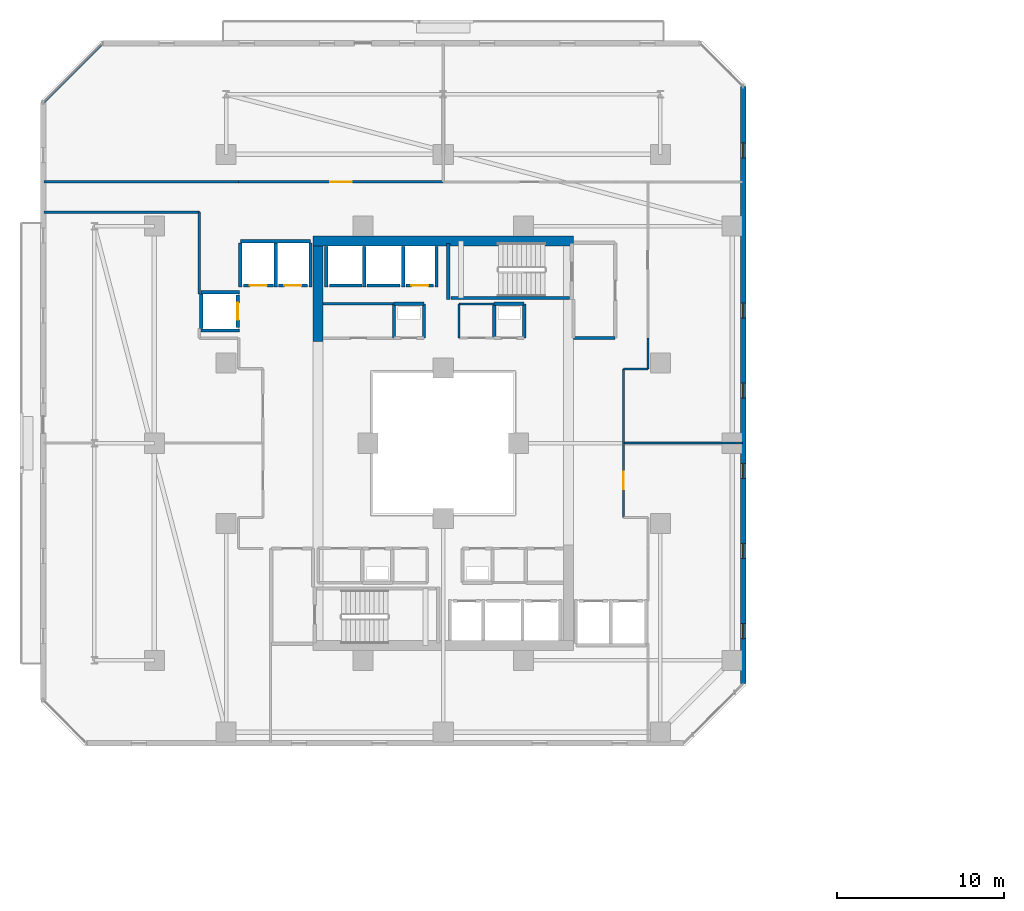
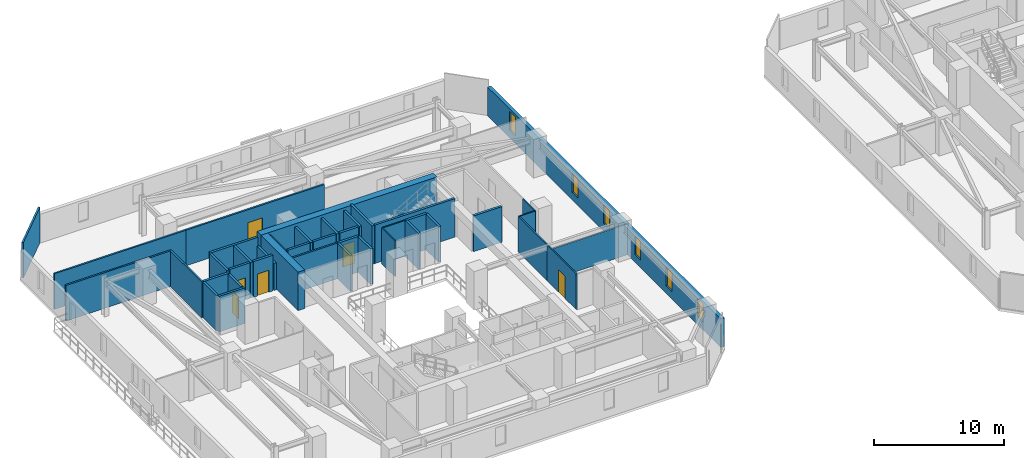
# One storey, part 21 of 33: 42 walls, 6 doors, 6 windows, 12 openings.
"""IFC4 building model written with IfcOpenShell, lengths in metres."""

import ifcopenshell
import ifcopenshell.guid

model = None  # the IFC model being written
_history = None  # IfcOwnerHistory: only IFC2X3 demands one
_inside = {}  # id of a spatial element -> (the spatial element, [elements in it])
_under = {}  # id of a project, library or spatial element -> (it, [spatial elements below it])
_declared = {}  # id of a project -> (the project, [libraries it declares])
_typed = {}  # id of a type object -> (the type object, [elements of that type])
_made_of = {}  # id of a material, layer set ... -> (it, [elements and type objects made of it])


def new_model(schema):
    """Start an empty IFC model of exactly this schema.

    Asked for "IFC4X3", IfcOpenShell would pick the latest addendum, in which some entities
    have other attributes; the version numbers below select the first issue.
    IFC2X3 requires an IfcOwnerHistory on every rooted entity: one is made here for all.
    """
    global model, _history
    if schema == "IFC4X3":
        model = ifcopenshell.file(schema_version=(4, 3, 0, 0))
    else:
        model = ifcopenshell.file(schema=schema)
    _inside.clear()
    _under.clear()
    _declared.clear()
    _typed.clear()
    _made_of.clear()
    _history = None
    if model.schema == "IFC2X3":
        org = make("IfcOrganization", Name="unknown")
        user = make(
            "IfcPersonAndOrganization",
            ThePerson=make("IfcPerson", FamilyName="unknown"),
            TheOrganization=org,
        )
        app = make(
            "IfcApplication",
            ApplicationDeveloper=org,
            Version="unknown",
            ApplicationFullName="unknown",
            ApplicationIdentifier="unknown",
        )
        _history = make(
            "IfcOwnerHistory",
            OwningUser=user,
            OwningApplication=app,
            ChangeAction="ADDED",
            CreationDate=0,
        )
    return model


def make(cls, **values):
    """One entity of the class cls with the attributes given. An attribute that is None is left unset."""
    return model.create_entity(
        cls, **{name: value for name, value in values.items() if value is not None}
    )


def rooted(cls, **values):
    """An entity with a GlobalId (a new one), such as an element, a storey or a relation."""
    return make(cls, GlobalId=ifcopenshell.guid.new(), OwnerHistory=_history, **values)


def si_unit(unit_type, name, prefix=None):
    """IfcSIUnit, for example si_unit("LENGTHUNIT", "METRE", prefix="MILLI")."""
    return make("IfcSIUnit", UnitType=unit_type, Prefix=prefix, Name=name)


def assignment(units):
    """IfcUnitAssignment: the units of a project."""
    return None if units is None else make("IfcUnitAssignment", Units=units)


def point(xyz):
    """IfcCartesianPoint."""
    return None if xyz is None else make("IfcCartesianPoint", Coordinates=xyz)


def direction(xyz):
    """IfcDirection."""
    return None if xyz is None else make("IfcDirection", DirectionRatios=xyz)


def frame(location, z_axis=None, x_axis=None):
    """IfcAxis2Placement3D, a coordinate frame: its origin and axes. An axis left out is left unset."""
    return make(
        "IfcAxis2Placement3D",
        Location=point(location),
        Axis=direction(z_axis),
        RefDirection=direction(x_axis),
    )


def frame_2d(location, x_axis=None):
    """IfcAxis2Placement2D, a coordinate frame in the plane: its origin and x axis."""
    return make(
        "IfcAxis2Placement2D", Location=point(location), RefDirection=direction(x_axis)
    )


def origin():
    """The frame at (0, 0, 0) with its axes left unset."""
    return frame((0.0, 0.0, 0.0))


def place(relative_to, where):
    """IfcLocalPlacement: puts the frame where relative to a parent placement (None: the world)."""
    return make(
        "IfcLocalPlacement", PlacementRelTo=relative_to, RelativePlacement=where
    )


def context(
    kind, dimensions, precision=None, world=None, true_north=None, identifier=None
):
    """IfcGeometricRepresentationContext, for example the 3D "Model" context."""
    return make(
        "IfcGeometricRepresentationContext",
        ContextIdentifier=identifier,
        ContextType=kind,
        CoordinateSpaceDimension=dimensions,
        Precision=precision,
        WorldCoordinateSystem=world,
        TrueNorth=true_north,
    )


def subcontext(parent, identifier, kind, view, scale=None):
    """IfcGeometricRepresentationSubContext, for example "Body" below "Model"."""
    return make(
        "IfcGeometricRepresentationSubContext",
        ContextIdentifier=identifier,
        ContextType=kind,
        ParentContext=parent,
        TargetScale=scale,
        TargetView=view,
    )


def project(units=None, contexts=None):
    """IfcProject with its units and contexts."""
    return rooted(
        "IfcProject",
        Name="project",
        RepresentationContexts=contexts,
        UnitsInContext=assignment(units),
    )


def spatial(cls, under=None, at=None, **own):
    """A site, building, storey or space (cls), placed at a placement, below another one or the project."""
    s = rooted(cls, ObjectPlacement=at, **own)
    if under is not None:
        _under.setdefault(under.id(), (under, []))[1].append(s)
    return s


def profile(cls, at=None, kind="AREA", **sizes):
    """A parametric profile (cls). Its sizes go by their IFC names, for example OverallWidth=200.0."""
    return make(cls, ProfileType=kind, Position=at, **sizes)


def rectangle(**sizes):
    """IfcRectangleProfileDef."""
    return profile("IfcRectangleProfileDef", **sizes)


def extrude(swept, where, along, depth):
    """IfcExtrudedAreaSolid: the profile swept, set in the frame where, extruded along a direction by depth."""
    return make(
        "IfcExtrudedAreaSolid",
        SweptArea=swept,
        Position=where,
        ExtrudedDirection=direction(along),
        Depth=depth,
    )


def shape(context_of_items, identifier, shape_type, items):
    """IfcShapeRepresentation: the items that make up one representation, for example the "Body"."""
    return make(
        "IfcShapeRepresentation",
        ContextOfItems=context_of_items,
        RepresentationIdentifier=identifier,
        RepresentationType=shape_type,
        Items=items,
    )


def material(Name=None, Category=None):
    """IfcMaterial."""
    return make("IfcMaterial", Name=Name, Category=Category)


def layer(
    of_material, thickness, ventilated=None, Name=None, Category=None, Priority=None
):
    """IfcMaterialLayer: one layer of a wall or slab, of a material (None: an air gap)."""
    return make(
        "IfcMaterialLayer",
        Material=of_material,
        LayerThickness=thickness,
        IsVentilated=ventilated,
        Name=Name,
        Category=Category,
        Priority=Priority,
    )


def layer_set(layers, Name=None):
    """IfcMaterialLayerSet."""
    return make("IfcMaterialLayerSet", MaterialLayers=layers, LayerSetName=Name)


def made_of(thing, what):
    """Note that an element or type object is made of a material, layer set ...; save() writes the relation."""
    if what is not None:
        _made_of.setdefault(what.id(), (what, []))[1].append(thing)
    return thing


def type_object(cls, material=None, **own):
    """A type object (cls), such as IfcWallType, which elements share."""
    return made_of(rooted(cls, **own), material)


def element(
    cls,
    number,
    at=None,
    inside=None,
    cuts=None,
    type_object=None,
    material=None,
    context=None,
    identifier="Body",
    shape_type=None,
    held_by="IfcProductDefinitionShape",
    body=None,
    shapes=None,
    **own,
):
    """One element of the class cls, such as IfcWall. Its Tag is "e" and its number.

    at: its placement. inside: the storey or other place that contains it. cuts: it is an
    opening in that element (IfcRelVoidsElement). A single representation is given by context,
    identifier, shape_type and body (its items); several are given by shapes. held_by: the class
    of the entity that holds the representations. save() writes the other relations.
    """
    e = rooted(cls, Tag="e%d" % number, ObjectPlacement=at, **own)
    if body is not None:
        shapes = [shape(context, identifier, shape_type, body)]
    if shapes is not None:
        e.Representation = make(held_by, Representations=shapes)
    if inside is not None:
        _inside.setdefault(inside.id(), (inside, []))[1].append(e)
    if cuts is not None:
        rooted(
            "IfcRelVoidsElement", RelatingBuildingElement=cuts, RelatedOpeningElement=e
        )
    if type_object is not None:
        _typed.setdefault(type_object.id(), (type_object, []))[1].append(e)
    return made_of(e, material)


def fill(opening, filler):
    """IfcRelFillsElement: the door or window that sits in an opening."""
    return rooted(
        "IfcRelFillsElement",
        RelatingOpeningElement=opening,
        RelatedBuildingElement=filler,
    )


def aggregate(whole, parts):
    """IfcRelAggregates: a whole, such as a stair, and the parts it consists of."""
    return rooted("IfcRelAggregates", RelatingObject=whole, RelatedObjects=parts)


def save(model, path):
    """Write the relations noted so far, then the file.

    IfcRelAggregates (storeys below a building ...), IfcRelContainedInSpatialStructure (elements
    in a storey), IfcRelDefinesByType, IfcRelAssociatesMaterial and IfcRelDeclares: one each for
    every whole, place, type object, material and project.
    """
    for whole, parts in _under.values():
        aggregate(whole, parts)
    for where, things in _inside.values():
        rooted(
            "IfcRelContainedInSpatialStructure",
            RelatedElements=things,
            RelatingStructure=where,
        )
    for kind, things in _typed.values():
        rooted("IfcRelDefinesByType", RelatedObjects=things, RelatingType=kind)
    for what, things in _made_of.values():
        rooted("IfcRelAssociatesMaterial", RelatedObjects=things, RelatingMaterial=what)
    for by, libraries in _declared.values():
        rooted("IfcRelDeclares", RelatingContext=by, RelatedDefinitions=libraries)
    model.write(path)


model = new_model("IFC4")

# Units and contexts
model_context = context("Model", 3, precision=1e-05, world=origin(), true_north=direction((0.0, 1.0)))
body_context = subcontext(model_context, "Body", "Model", "MODEL_VIEW")
ifc_project = project(units=[si_unit("LENGTHUNIT", "METRE"), si_unit("AREAUNIT", "SQUARE_METRE"), si_unit("VOLUMEUNIT", "CUBIC_METRE"), si_unit("PLANEANGLEUNIT", "RADIAN"), si_unit("MASSUNIT", "GRAM", prefix="KILO")], contexts=[model_context])

# Site, building, storey
site_placement = place(None, origin())
site = spatial("IfcSite", under=ifc_project, at=site_placement, CompositionType="ELEMENT")
building_placement = place(site_placement, origin())
building = spatial("IfcBuilding", under=site, at=building_placement, Name="Thornwick Lancets Civic Towers", CompositionType="ELEMENT")
storey_placement = place(building_placement, frame((0.0, 0.0, 105.300048828125)))
storey = spatial("IfcBuildingStorey", under=building, at=storey_placement, Name="L27", CompositionType="ELEMENT", Elevation=105.300048828125)

# Wall, opening, door
ifc_material_1 = material(Name="Concrete blockwork C40/50", Category="masonry")
ifc_layer_1 = layer(ifc_material_1, 0.199951171875, Name="Concrete blockwork C40/50")
ifc_layer_set_1 = layer_set([ifc_layer_1], Name="Concrete blockwork C40/50")
wall_type_1 = type_object("IfcWallType", Name="WALL_COMP_200", PredefinedType="STANDARD", material=ifc_layer_set_1)
wall_1_placement = place(storey_placement, frame((24.919921875, 36.449951171875, 0.0), z_axis=(0.0, 0.0, 1.0), x_axis=(-1.0, 0.0, 0.0)))
wall_1 = element("IfcWall", 1, at=wall_1_placement, inside=storey, type_object=wall_type_1, Name="L27 Hoistway Front Wall FL-A2", PredefinedType="STANDARD", context=body_context, shape_type="SweptSolid", body=[
    extrude(rectangle(XDim=1.639892578125, YDim=0.199951171875, at=frame_2d((0.81982421875, 0.0))), origin(), (0.0, 0.0, 1.0), 3.33984375),
])
opening_1_placement = place(wall_1_placement, frame((0.31005859375, 0.0, 0.0)))
opening_1 = element("IfcOpeningElement", 2, at=opening_1_placement, cuts=wall_1, Name="Opening LD-FL-A2", PredefinedType="OPENING", context=body_context, shape_type="SweptSolid", body=[
    extrude(rectangle(XDim=1.02001953125, YDim=2.06005859375, at=frame_2d((0.510009765625, 1.030029296875))), frame((0.0, 0.10986328125, 0.0), z_axis=(0.0, -1.0, 0.0), x_axis=(1.0, 0.0, 0.0)), (0.0, 0.0, 1.0), 0.219970703125),
])
ifc_material_2 = material(Name="Brushed bronze stainless steel", Category="steel")
door_type_1 = type_object("IfcDoorType", Name="DOOR_LIFT_SLIDE", OperationType="SLIDING_TO_LEFT", PredefinedType="DOOR", material=ifc_material_2)
door_1_placement = place(opening_1_placement, origin())
door_1 = element("IfcDoor", 3, at=door_1_placement, inside=storey, type_object=door_type_1, Name="L27 Sliding Lift Landing Door LD-FL-A2", OperationType="SLIDING_TO_LEFT", OverallHeight=2.06005859375, OverallWidth=1.02001953125, PredefinedType="DOOR", context=body_context, shape_type="SweptSolid", body=[
    extrude(rectangle(XDim=1.02001953125, YDim=2.06005859375, at=frame_2d((0.510009765625, 1.030029296875))), frame((0.0, 0.02490234375, 0.0), z_axis=(0.0, -1.0, 0.0), x_axis=(1.0, 0.0, 0.0)), (0.0, 0.0, 1.0), 0.050048828125),
])
fill(opening_1, door_1)

# Walls
wall_2_placement = place(storey_placement, frame((22.919921875, 36.449951171875, 0.0), z_axis=(0.0, 0.0, 1.0), x_axis=(-1.0, 0.0, 0.0)))
element("IfcWall", 4, at=wall_2_placement, inside=storey, type_object=wall_type_1, Name="L27 Hoistway Front Wall PL-AH2", PredefinedType="STANDARD", context=body_context, shape_type="SweptSolid", body=[
    extrude(rectangle(XDim=1.989990234375, YDim=0.199951171875, at=frame_2d((0.9951171875, 0.0))), origin(), (0.0, 0.0, 1.0), 3.33984375),
])
wall_3_placement = place(storey_placement, frame((20.6201171875, 36.449951171875, 0.0), z_axis=(0.0, 0.0, 1.0), x_axis=(-1.0, 0.0, 0.0)))
element("IfcWall", 5, at=wall_3_placement, inside=storey, type_object=wall_type_1, Name="L27 Hoistway Front Wall PL-AH3", PredefinedType="STANDARD", context=body_context, shape_type="SweptSolid", body=[
    extrude(rectangle(XDim=1.940185546875, YDim=0.199951171875, at=frame_2d((0.97021484375, 0.0))), origin(), (0.0, 0.0, 1.0), 3.33984375),
])

# Wall, opening, door
wall_4_placement = place(storey_placement, frame((17.3701171875, 36.449951171875, 0.0), z_axis=(0.0, 0.0, 1.0), x_axis=(-1.0, 0.0, 0.0)))
wall_4 = element("IfcWall", 6, at=wall_4_placement, inside=storey, type_object=wall_type_1, Name="L27 Hoistway Front Wall PL-AM1", PredefinedType="STANDARD", context=body_context, shape_type="SweptSolid", body=[
    extrude(rectangle(XDim=1.740234375, YDim=0.199951171875, at=frame_2d((0.8701171875, 0.0))), origin(), (0.0, 0.0, 1.0), 3.33984375),
])
opening_2_placement = place(wall_4_placement, frame((0.360107421875, 0.0, 0.0)))
opening_2 = element("IfcOpeningElement", 7, at=opening_2_placement, cuts=wall_4, Name="Opening LD-PL-AM1", PredefinedType="OPENING", context=body_context, shape_type="SweptSolid", body=[
    extrude(rectangle(XDim=1.02001953125, YDim=2.06005859375, at=frame_2d((0.510009765625, 1.030029296875))), frame((0.0, 0.10986328125, 0.0), z_axis=(0.0, -1.0, 0.0), x_axis=(1.0, 0.0, 0.0)), (0.0, 0.0, 1.0), 0.219970703125),
])
door_2_placement = place(opening_2_placement, origin())
door_2 = element("IfcDoor", 8, at=door_2_placement, inside=storey, type_object=door_type_1, Name="L27 Sliding Lift Landing Door LD-PL-AM1", OperationType="SLIDING_TO_LEFT", OverallHeight=2.06005859375, OverallWidth=1.02001953125, PredefinedType="DOOR", context=body_context, shape_type="SweptSolid", body=[
    extrude(rectangle(XDim=1.02001953125, YDim=2.06005859375, at=frame_2d((0.510009765625, 1.030029296875))), frame((0.0, 0.02490234375, 0.0), z_axis=(0.0, -1.0, 0.0), x_axis=(1.0, 0.0, 0.0)), (0.0, 0.0, 1.0), 0.050048828125),
])
fill(opening_2, door_2)

wall_5_placement = place(storey_placement, frame((15.320068359375, 36.449951171875, 0.0), z_axis=(0.0, 0.0, 1.0), x_axis=(-1.0, 0.0, 0.0)))
wall_5 = element("IfcWall", 9, at=wall_5_placement, inside=storey, type_object=wall_type_1, Name="L27 Hoistway Front Wall PL-AM2", PredefinedType="STANDARD", context=body_context, shape_type="SweptSolid", body=[
    extrude(rectangle(XDim=1.7900390625, YDim=0.199951171875, at=frame_2d((0.89501953125, 0.0))), origin(), (0.0, 0.0, 1.0), 3.33984375),
])
opening_3_placement = place(wall_5_placement, frame((0.385009765625, 0.0, 0.0)))
opening_3 = element("IfcOpeningElement", 10, at=opening_3_placement, cuts=wall_5, Name="Opening LD-PL-AM2", PredefinedType="OPENING", context=body_context, shape_type="SweptSolid", body=[
    extrude(rectangle(XDim=1.02001953125, YDim=2.06005859375, at=frame_2d((0.510009765625, 1.030029296875))), frame((0.0, 0.10986328125, 0.0), z_axis=(0.0, -1.0, 0.0), x_axis=(1.0, 0.0, 0.0)), (0.0, 0.0, 1.0), 0.219970703125),
])
door_3_placement = place(opening_3_placement, origin())
door_3 = element("IfcDoor", 11, at=door_3_placement, inside=storey, type_object=door_type_1, Name="L27 Sliding Lift Landing Door LD-PL-AM2", OperationType="SLIDING_TO_LEFT", OverallHeight=2.06005859375, OverallWidth=1.02001953125, PredefinedType="DOOR", context=body_context, shape_type="SweptSolid", body=[
    extrude(rectangle(XDim=1.02001953125, YDim=2.06005859375, at=frame_2d((0.510009765625, 1.030029296875))), frame((0.0, 0.02490234375, 0.0), z_axis=(0.0, -1.0, 0.0), x_axis=(1.0, 0.0, 0.0)), (0.0, 0.0, 1.0), 0.050048828125),
])
fill(opening_3, door_3)

wall_6_placement = place(storey_placement, frame((13.199951171875, 33.929931640625, 0.0), z_axis=(0.0, 0.0, 1.0), x_axis=(0.0, 1.0, 0.0)))
wall_6 = element("IfcWall", 12, at=wall_6_placement, inside=storey, type_object=wall_type_1, Name="L27 Hoistway Front Wall PL-AM3", PredefinedType="STANDARD", context=body_context, shape_type="SweptSolid", body=[
    extrude(rectangle(XDim=1.940185546875, YDim=0.199951171875, at=frame_2d((0.97021484375, 0.0))), origin(), (0.0, 0.0, 1.0), 3.33984375),
])
opening_4_placement = place(wall_6_placement, frame((0.4599609375, 0.0, 0.0)))
opening_4 = element("IfcOpeningElement", 13, at=opening_4_placement, cuts=wall_6, Name="Opening LD-PL-AM3", PredefinedType="OPENING", context=body_context, shape_type="SweptSolid", body=[
    extrude(rectangle(XDim=1.02001953125, YDim=2.06005859375, at=frame_2d((0.510009765625, 1.030029296875))), frame((0.0, 0.10986328125, 0.0), z_axis=(0.0, -1.0, 0.0), x_axis=(1.0, 0.0, 0.0)), (0.0, 0.0, 1.0), 0.219970703125),
])
door_4_placement = place(opening_4_placement, origin())
door_4 = element("IfcDoor", 14, at=door_4_placement, inside=storey, type_object=door_type_1, Name="L27 Sliding Lift Landing Door LD-PL-AM3", OperationType="SLIDING_TO_LEFT", OverallHeight=2.06005859375, OverallWidth=1.02001953125, PredefinedType="DOOR", context=body_context, shape_type="SweptSolid", body=[
    extrude(rectangle(XDim=1.02001953125, YDim=2.06005859375, at=frame_2d((0.510009765625, 1.030029296875))), frame((0.0, 0.02490234375, 0.0), z_axis=(0.0, -1.0, 0.0), x_axis=(1.0, 0.0, 0.0)), (0.0, 0.0, 1.0), 0.050048828125),
])
fill(opening_4, door_4)

# Walls
for number, where, z_axis, x_axis, name in (
    (15, (25.10009765625, 36.35205078125, 0.0), (0.0, 0.0, 1.0), (0.0, 1.0, 0.0), "L27 Hoistway Shaft Wall FL-A2 E"),
    (16, (23.10009765625, 36.35205078125, 0.0), (0.0, 0.0, 1.0), (0.0, 1.0, 0.0), "L27 Hoistway Shaft Wall FL-A2 W"),
    (17, (20.77490234375, 36.35205078125, 0.0), (0.0, 0.0, 1.0), (0.0, 1.0, 0.0), "L27 Hoistway Shaft Wall PL-AH2 W"),
    (18, (18.5, 36.35205078125, 0.0), (0.0, 0.0, 1.0), (0.0, 1.0, 0.0), "L27 Hoistway Shaft Wall PL-AH3 W"),
):
    element("IfcWall", number, at=place(storey_placement, frame(where, z_axis=z_axis, x_axis=x_axis)), inside=storey, type_object=wall_type_1, Name=name, PredefinedType="STANDARD", context=body_context, shape_type="SweptSolid", body=[
        extrude(rectangle(XDim=2.43603515625, YDim=0.199951171875, at=frame_2d((1.218017578125, 0.0))), origin(), (0.0, 0.0, 1.0), 3.33984375),
    ])
wall_7_placement = place(storey_placement, frame((13.35205078125, 39.10009765625, 0.0), z_axis=(0.0, 0.0, 1.0), x_axis=(1.0, 0.0, 0.0)))
element("IfcWall", 19, at=wall_7_placement, inside=storey, type_object=wall_type_1, Name="L27 Hoistway Shaft Wall PL-AM1 N", PredefinedType="STANDARD", context=body_context, shape_type="SweptSolid", body=[
    extrude(rectangle(XDim=4.196044921875, YDim=0.199951171875, at=frame_2d((2.09814453125, 0.0))), origin(), (0.0, 0.0, 1.0), 3.33984375),
])
wall_8_placement = place(storey_placement, frame((17.550048828125, 36.35205078125, 0.0), z_axis=(0.0, 0.0, 1.0), x_axis=(0.0, 1.0, 0.0)))
element("IfcWall", 20, at=wall_8_placement, inside=storey, type_object=wall_type_1, Name="L27 Hoistway Shaft Wall PL-AM1 E", PredefinedType="STANDARD", context=body_context, shape_type="SweptSolid", body=[
    extrude(rectangle(XDim=2.635986328125, YDim=0.199951171875, at=frame_2d((1.31787109375, 0.0))), origin(), (0.0, 0.0, 1.0), 2.544921875),
])
for number, where, z_axis, x_axis, name in (
    (21, (15.47509765625, 36.35205078125, 0.0), (0.0, 0.0, 1.0), (0.0, 1.0, 0.0), "L27 Hoistway Shaft Wall PL-AM1 W"),
    (22, (13.35009765625, 36.35205078125, 0.0), (0.0, 0.0, 1.0), (0.0, 1.0, 0.0), "L27 Hoistway Shaft Wall PL-AM2 W"),
):
    element("IfcWall", number, at=place(storey_placement, frame(where, z_axis=z_axis, x_axis=x_axis)), inside=storey, type_object=wall_type_1, Name=name, PredefinedType="STANDARD", context=body_context, shape_type="SweptSolid", body=[
        extrude(rectangle(XDim=2.635986328125, YDim=0.199951171875, at=frame_2d((1.31787109375, 0.0))), origin(), (0.0, 0.0, 1.0), 3.33984375),
    ])
for number, where, z_axis, x_axis, name in (
    (23, (11.001953125, 36.050048828125, 0.0), (0.0, 0.0, 1.0), (1.0, 0.0, 0.0), "L27 Hoistway Shaft Wall PL-AM3 N"),
    (24, (11.001953125, 33.75, 0.0), (0.0, 0.0, 1.0), (1.0, 0.0, 0.0), "L27 Hoistway Shaft Wall PL-AM3 S"),
):
    element("IfcWall", number, at=place(storey_placement, frame(where, z_axis=z_axis, x_axis=x_axis)), inside=storey, type_object=wall_type_1, Name=name, PredefinedType="STANDARD", context=body_context, shape_type="SweptSolid", body=[
        extrude(rectangle(XDim=2.296142578125, YDim=0.199951171875, at=frame_2d((1.14794921875, 0.0))), origin(), (0.0, 0.0, 1.0), 3.33984375),
    ])
wall_9_placement = place(storey_placement, frame((11.0, 33.862060546875, 0.0), z_axis=(0.0, 0.0, 1.0), x_axis=(0.0, 1.0, 0.0)))
element("IfcWall", 25, at=wall_9_placement, inside=storey, type_object=wall_type_1, Name="L27 Hoistway Shaft Wall PL-AM3 W", PredefinedType="STANDARD", context=body_context, shape_type="SweptSolid", body=[
    extrude(rectangle(XDim=2.075927734375, YDim=0.199951171875, at=frame_2d((1.0380859375, 0.0))), origin(), (0.0, 0.0, 1.0), 3.33984375),
])
wall_10_placement = place(storey_placement, frame((33.300048828125, 33.300048828125, 0.0), z_axis=(0.0, 0.0, 1.0), x_axis=(1.0, 0.0, 0.0)))
element("IfcWall", 26, at=wall_10_placement, inside=storey, type_object=wall_type_1, Name="L27 Partition L27-A-FFLOB2 E1", PredefinedType="STANDARD", context=body_context, shape_type="SweptSolid", body=[
    extrude(rectangle(XDim=2.5, YDim=0.199951171875, at=frame_2d((1.25, 0.0))), origin(), (0.0, 0.0, 1.0), 3.33984375),
])
wall_11_placement = place(storey_placement, frame((24.35009765625, 33.300048828125, 0.0), z_axis=(0.0, 0.0, 1.0), x_axis=(0.0, 1.0, 0.0)))
element("IfcWall", 27, at=wall_11_placement, inside=storey, type_object=wall_type_1, Name="L27 Partition L27-A-DUCT2 E2", PredefinedType="STANDARD", context=body_context, shape_type="SweptSolid", body=[
    extrude(rectangle(XDim=2.050048828125, YDim=0.199951171875, at=frame_2d((1.02490234375, 0.0))), origin(), (0.0, 0.0, 1.0), 3.33984375),
])
wall_12_placement = place(storey_placement, frame((24.35009765625, 35.35009765625, 0.0), z_axis=(0.0, 0.0, 1.0), x_axis=(-1.0, 0.0, 0.0)))
element("IfcWall", 28, at=wall_12_placement, inside=storey, type_object=wall_type_1, Name="L27 Partition L27-A-DUCT2 E3", PredefinedType="STANDARD", context=body_context, shape_type="SweptSolid", body=[
    extrude(rectangle(XDim=1.800048828125, YDim=0.199951171875, at=frame_2d((0.89990234375, 0.0))), origin(), (0.0, 0.0, 1.0), 3.33984375),
])
for number, where, z_axis, x_axis, name in (
    (29, (22.550048828125, 35.35009765625, 0.0), (0.0, 0.0, 1.0), (0.0, -1.0, 0.0), "L27 Partition L27-A-DUCT2 E4"),
    (30, (30.35009765625, 33.300048828125, 0.0), (0.0, 0.0, 1.0), (0.0, 1.0, 0.0), "L27 Partition L27-A-RISER2 E2"),
):
    element("IfcWall", number, at=place(storey_placement, frame(where, z_axis=z_axis, x_axis=x_axis)), inside=storey, type_object=wall_type_1, Name=name, PredefinedType="STANDARD", context=body_context, shape_type="SweptSolid", body=[
        extrude(rectangle(XDim=2.050048828125, YDim=0.199951171875, at=frame_2d((1.02490234375, 0.0))), origin(), (0.0, 0.0, 1.0), 3.33984375),
    ])
wall_13_placement = place(storey_placement, frame((30.35009765625, 35.35009765625, 0.0), z_axis=(0.0, 0.0, 1.0), x_axis=(-1.0, 0.0, 0.0)))
element("IfcWall", 31, at=wall_13_placement, inside=storey, type_object=wall_type_1, Name="L27 Partition L27-A-RISER2 E3", PredefinedType="STANDARD", context=body_context, shape_type="SweptSolid", body=[
    extrude(rectangle(XDim=1.800048828125, YDim=0.199951171875, at=frame_2d((0.89990234375, 0.0))), origin(), (0.0, 0.0, 1.0), 3.33984375),
])
wall_14_placement = place(storey_placement, frame((28.550048828125, 35.35009765625, 0.0), z_axis=(0.0, 0.0, 1.0), x_axis=(0.0, -1.0, 0.0)))
element("IfcWall", 32, at=wall_14_placement, inside=storey, type_object=wall_type_1, Name="L27 Partition L27-A-RISER2 E4", PredefinedType="STANDARD", context=body_context, shape_type="SweptSolid", body=[
    extrude(rectangle(XDim=2.050048828125, YDim=0.199951171875, at=frame_2d((1.02490234375, 0.0))), origin(), (0.0, 0.0, 1.0), 3.33984375),
])
ifc_material_3 = material(Name="Concrete C60/75", Category="concrete")
ifc_layer_2 = layer(ifc_material_3, 0.60009765625, Name="Concrete C60/75")
ifc_layer_set_2 = layer_set([ifc_layer_2], Name="Concrete C60/75")
wall_type_2 = type_object("IfcWallType", Name="WALL_CORE_600", PredefinedType="SHEAR", material=ifc_layer_set_2)
wall_15_placement = place(storey_placement, frame((17.699951171875, 39.10009765625, 0.0), z_axis=(0.0, 0.0, 1.0), x_axis=(1.0, 0.0, 0.0)))
element("IfcWall", 33, at=wall_15_placement, inside=storey, type_object=wall_type_2, Name="L27 Split Core A2 Shear Wall N", PredefinedType="SHEAR", context=body_context, shape_type="SweptSolid", body=[
    extrude(rectangle(XDim=15.60009765625, YDim=0.60009765625, at=frame_2d((7.800048828125, 0.0))), origin(), (0.0, 0.0, 1.0), 3.599853515625),
])
wall_16_placement = place(storey_placement, frame((18.0, 33.10009765625, 0.0), z_axis=(0.0, 0.0, 1.0), x_axis=(0.0, 1.0, 0.0)))
element("IfcWall", 34, at=wall_16_placement, inside=storey, type_object=wall_type_2, Name="L27 Split Core A2 Shear Wall W", PredefinedType="SHEAR", context=body_context, shape_type="SweptSolid", body=[
    extrude(rectangle(XDim=5.699951171875, YDim=0.60009765625, at=frame_2d((2.85009765625, 0.0))), origin(), (0.0, 0.0, 1.0), 3.599853515625),
])

# Wall, openings, windows
ifc_material_4 = material(Name="Insulated buff terracotta rainscreen on concrete C40/50", Category="masonry")
ifc_layer_3 = layer(ifc_material_4, 0.320068359375, Name="Insulated buff terracotta rainscreen on concrete C40/50")
ifc_layer_set_3 = layer_set([ifc_layer_3], Name="Insulated buff terracotta rainscreen on concrete C40/50")
wall_type_3 = type_object("IfcWallType", Name="WALL_EXT_TERRA_320", PredefinedType="STANDARD", material=ifc_layer_set_3)
wall_17_placement = place(storey_placement, frame((43.46142578125, 12.596923828125, 0.0), z_axis=(0.0, 0.0, 1.0), x_axis=(8.8693006e-05, 0.999999996067, 0.0)))
wall_17 = element("IfcWall", 35, at=wall_17_placement, inside=storey, type_object=wall_type_3, Name="L27 Tower A Terracotta Facade Wall E2", PredefinedType="STANDARD", context=body_context, shape_type="SweptSolid", body=[
    extrude(rectangle(XDim=35.784423828125, YDim=0.320068359375, at=frame_2d((17.89208984375, 0.0))), origin(), (0.0, 0.0, 1.0), 2.699951171875),
])
opening_5_placement = place(wall_17_placement, frame((2.699951171875, 0.0, 0.719970703125)))
opening_5 = element("IfcOpeningElement", 36, at=opening_5_placement, cuts=wall_17, Name="Opening WL-01", PredefinedType="OPENING", context=body_context, shape_type="SweptSolid", body=[
    extrude(rectangle(XDim=0.89990234375, YDim=1.75, at=frame_2d((0.449951171875, 0.875))), frame((0.0, 0.169921875, 0.0), z_axis=(0.0, -1.0, 0.0), x_axis=(1.0, 0.0, 0.0)), (0.0, 0.0, 1.0), 0.340087890625),
])
opening_6_placement = place(wall_17_placement, frame((7.5, 0.0, 0.719970703125)))
opening_6 = element("IfcOpeningElement", 37, at=opening_6_placement, cuts=wall_17, Name="Opening WL-01", PredefinedType="OPENING", context=body_context, shape_type="SweptSolid", body=[
    extrude(rectangle(XDim=0.89990234375, YDim=1.75, at=frame_2d((0.449951171875, 0.875))), frame((0.0, 0.169921875, 0.0), z_axis=(0.0, -1.0, 0.0), x_axis=(1.0, 0.0, 0.0)), (0.0, 0.0, 1.0), 0.340087890625),
])
opening_7_placement = place(wall_17_placement, frame((12.300048828125, 0.0, 0.719970703125)))
opening_7 = element("IfcOpeningElement", 38, at=opening_7_placement, cuts=wall_17, Name="Opening WL-01", PredefinedType="OPENING", context=body_context, shape_type="SweptSolid", body=[
    extrude(rectangle(XDim=0.89990234375, YDim=1.75, at=frame_2d((0.449951171875, 0.875))), frame((0.0, 0.169921875, 0.0), z_axis=(0.0, -1.0, 0.0), x_axis=(1.0, 0.0, 0.0)), (0.0, 0.0, 1.0), 0.340087890625),
])
opening_8_placement = place(wall_17_placement, frame((17.10009765625, 0.0, 0.719970703125)))
opening_8 = element("IfcOpeningElement", 39, at=opening_8_placement, cuts=wall_17, Name="Opening WL-01", PredefinedType="OPENING", context=body_context, shape_type="SweptSolid", body=[
    extrude(rectangle(XDim=0.89990234375, YDim=1.75, at=frame_2d((0.449951171875, 0.875))), frame((0.0, 0.169921875, 0.0), z_axis=(0.0, -1.0, 0.0), x_axis=(1.0, 0.0, 0.0)), (0.0, 0.0, 1.0), 0.340087890625),
])
opening_9_placement = place(wall_17_placement, frame((21.89990234375, 0.0, 0.719970703125)))
opening_9 = element("IfcOpeningElement", 40, at=opening_9_placement, cuts=wall_17, Name="Opening WL-01", PredefinedType="OPENING", context=body_context, shape_type="SweptSolid", body=[
    extrude(rectangle(XDim=0.89990234375, YDim=1.75, at=frame_2d((0.449951171875, 0.875))), frame((0.0, 0.169921875, 0.0), z_axis=(0.0, -1.0, 0.0), x_axis=(1.0, 0.0, 0.0)), (0.0, 0.0, 1.0), 0.340087890625),
])
opening_10_placement = place(wall_17_placement, frame((31.5, 0.0, 0.719970703125)))
opening_10 = element("IfcOpeningElement", 41, at=opening_10_placement, cuts=wall_17, Name="Opening WL-01", PredefinedType="OPENING", context=body_context, shape_type="SweptSolid", body=[
    extrude(rectangle(XDim=0.89990234375, YDim=1.75, at=frame_2d((0.449951171875, 0.875))), frame((0.0, 0.169921875, 0.0), z_axis=(0.0, -1.0, 0.0), x_axis=(1.0, 0.0, 0.0)), (0.0, 0.0, 1.0), 0.340087890625),
])
ifc_material_5 = material(Name="Clear low-e double glazing in bronze frame", Category="glass")
window_type = type_object("IfcWindowType", Name="WIN_LANCET_900", PartitioningType="SINGLE_PANEL", PredefinedType="WINDOW", material=ifc_material_5)
window_1_placement = place(opening_5_placement, origin())
window_1 = element("IfcWindow", 42, at=window_1_placement, inside=storey, type_object=window_type, Name="L27 Tower A Staggered Lancet Window E2-1", OverallHeight=1.75, OverallWidth=0.89990234375, PartitioningType="SINGLE_PANEL", PredefinedType="WINDOW", context=body_context, shape_type="SweptSolid", body=[
    extrude(rectangle(XDim=0.89990234375, YDim=1.75, at=frame_2d((0.449951171875, 0.875))), frame((0.0, 0.030029296875, 0.0), z_axis=(0.0, -1.0, 0.0), x_axis=(1.0, 0.0, 0.0)), (0.0, 0.0, 1.0), 0.06005859375),
])
fill(opening_5, window_1)
window_2_placement = place(opening_6_placement, origin())
window_2 = element("IfcWindow", 43, at=window_2_placement, inside=storey, type_object=window_type, Name="L27 Tower A Staggered Lancet Window E2-2", OverallHeight=1.75, OverallWidth=0.89990234375, PartitioningType="SINGLE_PANEL", PredefinedType="WINDOW", context=body_context, shape_type="SweptSolid", body=[
    extrude(rectangle(XDim=0.89990234375, YDim=1.75, at=frame_2d((0.449951171875, 0.875))), frame((0.0, 0.030029296875, 0.0), z_axis=(0.0, -1.0, 0.0), x_axis=(1.0, 0.0, 0.0)), (0.0, 0.0, 1.0), 0.06005859375),
])
fill(opening_6, window_2)
window_3_placement = place(opening_7_placement, origin())
window_3 = element("IfcWindow", 44, at=window_3_placement, inside=storey, type_object=window_type, Name="L27 Tower A Staggered Lancet Window E2-3", OverallHeight=1.75, OverallWidth=0.89990234375, PartitioningType="SINGLE_PANEL", PredefinedType="WINDOW", context=body_context, shape_type="SweptSolid", body=[
    extrude(rectangle(XDim=0.89990234375, YDim=1.75, at=frame_2d((0.449951171875, 0.875))), frame((0.0, 0.030029296875, 0.0), z_axis=(0.0, -1.0, 0.0), x_axis=(1.0, 0.0, 0.0)), (0.0, 0.0, 1.0), 0.06005859375),
])
fill(opening_7, window_3)
window_4_placement = place(opening_8_placement, origin())
window_4 = element("IfcWindow", 45, at=window_4_placement, inside=storey, type_object=window_type, Name="L27 Tower A Staggered Lancet Window E2-4", OverallHeight=1.75, OverallWidth=0.89990234375, PartitioningType="SINGLE_PANEL", PredefinedType="WINDOW", context=body_context, shape_type="SweptSolid", body=[
    extrude(rectangle(XDim=0.89990234375, YDim=1.75, at=frame_2d((0.449951171875, 0.875))), frame((0.0, 0.030029296875, 0.0), z_axis=(0.0, -1.0, 0.0), x_axis=(1.0, 0.0, 0.0)), (0.0, 0.0, 1.0), 0.06005859375),
])
fill(opening_8, window_4)
window_5_placement = place(opening_9_placement, origin())
window_5 = element("IfcWindow", 46, at=window_5_placement, inside=storey, type_object=window_type, Name="L27 Tower A Staggered Lancet Window E2-5", OverallHeight=1.75, OverallWidth=0.89990234375, PartitioningType="SINGLE_PANEL", PredefinedType="WINDOW", context=body_context, shape_type="SweptSolid", body=[
    extrude(rectangle(XDim=0.89990234375, YDim=1.75, at=frame_2d((0.449951171875, 0.875))), frame((0.0, 0.030029296875, 0.0), z_axis=(0.0, -1.0, 0.0), x_axis=(1.0, 0.0, 0.0)), (0.0, 0.0, 1.0), 0.06005859375),
])
fill(opening_9, window_5)
window_6_placement = place(opening_10_placement, origin())
window_6 = element("IfcWindow", 47, at=window_6_placement, inside=storey, type_object=window_type, Name="L27 Tower A Staggered Lancet Window E2-6", OverallHeight=1.75, OverallWidth=0.89990234375, PartitioningType="SINGLE_PANEL", PredefinedType="WINDOW", context=body_context, shape_type="SweptSolid", body=[
    extrude(rectangle(XDim=0.89990234375, YDim=1.75, at=frame_2d((0.449951171875, 0.875))), frame((0.0, 0.030029296875, 0.0), z_axis=(0.0, -1.0, 0.0), x_axis=(1.0, 0.0, 0.0)), (0.0, 0.0, 1.0), 0.06005859375),
])
fill(opening_10, window_6)

# Walls
ifc_material_6 = material(Name="Acoustic gypsum board partition")
ifc_layer_4 = layer(ifc_material_6, 0.1201171875, Name="Acoustic gypsum board partition")
ifc_layer_set_4 = layer_set([ifc_layer_4], Name="Acoustic gypsum board partition")
wall_type_4 = type_object("IfcWallType", Name="WALL_PART_120", PredefinedType="PARTITIONING", material=ifc_layer_set_4)
wall_18_placement = place(storey_placement, frame((26.449951171875, 33.300048828125, 0.0), z_axis=(0.0, 0.0, 1.0), x_axis=(0.0, 1.0, 0.0)))
element("IfcWall", 48, at=wall_18_placement, inside=storey, type_object=wall_type_4, Name="L27 Partition L27-A-ITR E1", PredefinedType="PARTITIONING", context=body_context, shape_type="SweptSolid", body=[
    extrude(rectangle(XDim=2.050048828125, YDim=0.1201171875, at=frame_2d((1.02490234375, 0.0))), origin(), (0.0, 0.0, 1.0), 3.33984375),
])
wall_19_placement = place(storey_placement, frame((26.449951171875, 35.35009765625, 0.0), z_axis=(0.0, 0.0, 1.0), x_axis=(1.0, 0.0, 0.0)))
element("IfcWall", 49, at=wall_19_placement, inside=storey, type_object=wall_type_4, Name="L27 Partition L27-A-ITR E2", PredefinedType="PARTITIONING", context=body_context, shape_type="SweptSolid", body=[
    extrude(rectangle(XDim=2.10009765625, YDim=0.1201171875, at=frame_2d((1.050048828125, 0.0))), origin(), (0.0, 0.0, 1.0), 3.33984375),
])

# Wall, opening, door
wall_20_placement = place(storey_placement, frame((36.300048828125, 22.550048828125, 0.0), z_axis=(0.0, 0.0, 1.0), x_axis=(0.0, 1.0, 0.0)))
wall_20 = element("IfcWall", 50, at=wall_20_placement, inside=storey, type_object=wall_type_4, Name="L27 Partition L27-A-E1 E4", PredefinedType="PARTITIONING", context=body_context, shape_type="SweptSolid", body=[
    extrude(rectangle(XDim=4.449951171875, YDim=0.1201171875, at=frame_2d((2.22509765625, 0.0))), origin(), (0.0, 0.0, 1.0), 3.33984375),
])
opening_11_placement = place(wall_20_placement, frame((1.699951171875, 0.0, 0.0)))
opening_11 = element("IfcOpeningElement", 51, at=opening_11_placement, cuts=wall_20, Name="Opening D-L27-1259", PredefinedType="OPENING", context=body_context, shape_type="SweptSolid", body=[
    extrude(rectangle(XDim=1.050048828125, YDim=2.10009765625, at=frame_2d((0.52490234375, 1.050048828125))), frame((0.0, 0.070068359375, 0.0), z_axis=(0.0, -1.0, 0.0), x_axis=(1.0, 0.0, 0.0)), (0.0, 0.0, 1.0), 0.14013671875),
])
ifc_material_7 = material(Name="Glazed European oak executive doorset")
door_type_2 = type_object("IfcDoorType", Name="DOOR_OFFICE_1050", OperationType="NOTDEFINED", PredefinedType="DOOR", material=ifc_material_7)
door_5_placement = place(opening_11_placement, origin())
door_5 = element("IfcDoor", 52, at=door_5_placement, inside=storey, type_object=door_type_2, Name="L27 Tower A Secretariat Open Office E1 Door", OperationType="SINGLE_SWING_RIGHT", OverallHeight=2.10009765625, OverallWidth=1.050048828125, PredefinedType="DOOR", context=body_context, shape_type="SweptSolid", body=[
    extrude(rectangle(XDim=1.050048828125, YDim=2.10009765625, at=frame_2d((0.52490234375, 1.050048828125))), frame((0.0, 0.02490234375, 0.0), z_axis=(0.0, -1.0, 0.0), x_axis=(1.0, 0.0, 0.0)), (0.0, 0.0, 1.0), 0.050048828125),
])
fill(opening_11, door_5)

# Walls
wall_21_placement = place(storey_placement, frame((36.300048828125, 27.0, 0.0), z_axis=(0.0, 0.0, 1.0), x_axis=(1.0, 0.0, 0.0)))
element("IfcWall", 53, at=wall_21_placement, inside=storey, type_object=wall_type_4, Name="L27 Partition L27-A-E1 E5", PredefinedType="PARTITIONING", context=body_context, shape_type="SweptSolid", body=[
    extrude(rectangle(XDim=7.119873046875, YDim=0.1201171875, at=frame_2d((3.56005859375, 0.0))), origin(), (0.0, 0.0, 1.0), 2.877685546875),
])
wall_22_placement = place(storey_placement, frame((36.300048828125, 31.449951171875, 0.0), z_axis=(0.0, 0.0, 1.0), x_axis=(1.0, 0.0, 0.0)))
element("IfcWall", 54, at=wall_22_placement, inside=storey, type_object=wall_type_4, Name="L27 Partition L27-A-E2 E1", PredefinedType="PARTITIONING", context=body_context, shape_type="SweptSolid", body=[
    extrude(rectangle(XDim=1.449951171875, YDim=0.1201171875, at=frame_2d((0.72509765625, 0.0))), origin(), (0.0, 0.0, 1.0), 3.33984375),
])
wall_23_placement = place(storey_placement, frame((37.75, 31.449951171875, 0.0), z_axis=(0.0, 0.0, 1.0), x_axis=(0.0, 1.0, 0.0)))
element("IfcWall", 55, at=wall_23_placement, inside=storey, type_object=wall_type_4, Name="L27 Partition L27-A-E2 E2", PredefinedType="PARTITIONING", context=body_context, shape_type="SweptSolid", body=[
    extrude(rectangle(XDim=1.85009765625, YDim=0.1201171875, at=frame_2d((0.925048828125, 0.0))), origin(), (0.0, 0.0, 1.0), 3.33984375),
])
wall_24_placement = place(storey_placement, frame((36.300048828125, 27.0, 0.0), z_axis=(0.0, 0.0, 1.0), x_axis=(0.0, 1.0, 0.0)))
element("IfcWall", 56, at=wall_24_placement, inside=storey, type_object=wall_type_4, Name="L27 Partition L27-A-E2 E7", PredefinedType="PARTITIONING", context=body_context, shape_type="SweptSolid", body=[
    extrude(rectangle(XDim=4.449951171875, YDim=0.1201171875, at=frame_2d((2.22509765625, 0.0))), origin(), (0.0, 0.0, 1.0), 3.33984375),
])
ifc_material_8 = material(Name="Twin-stud acoustic gypsum board")
ifc_layer_5 = layer(ifc_material_8, 0.14990234375, Name="Twin-stud acoustic gypsum board")
ifc_layer_set_5 = layer_set([ifc_layer_5], Name="Twin-stud acoustic gypsum board")
wall_type_5 = type_object("IfcWallType", Name="WALL_PART_150", PredefinedType="PARTITIONING", material=ifc_layer_set_5)
wall_25_placement = place(storey_placement, frame((18.300048828125, 35.35009765625, 0.0), z_axis=(0.0, 0.0, 1.0), x_axis=(1.0, 0.0, 0.0)))
element("IfcWall", 57, at=wall_25_placement, inside=storey, type_object=wall_type_5, Name="L27 Partition L27-A-FWC E2", PredefinedType="PARTITIONING", context=body_context, shape_type="SweptSolid", body=[
    extrude(rectangle(XDim=4.25, YDim=0.14990234375, at=frame_2d((2.125, 0.0))), origin(), (0.0, 0.0, 1.0), 3.33984375),
])
wall_26_placement = place(storey_placement, frame((10.89990234375, 40.85009765625, 0.0), z_axis=(0.0, 0.0, 1.0), x_axis=(0.0, -1.0, 0.0)))
element("IfcWall", 58, at=wall_26_placement, inside=storey, type_object=wall_type_5, Name="L27 Partition L27-A-W2 E1", PredefinedType="PARTITIONING", context=body_context, shape_type="SweptSolid", body=[
    extrude(rectangle(XDim=4.912109375, YDim=0.14990234375, at=frame_2d((2.4560546875, 0.0))), origin(), (0.0, 0.0, 1.0), 3.33984375),
])
wall_27_placement = place(storey_placement, frame((1.580078125, 40.85009765625, 0.0), z_axis=(0.0, 0.0, 1.0), x_axis=(1.0, 0.0, 0.0)))
element("IfcWall", 59, at=wall_27_placement, inside=storey, type_object=wall_type_5, Name="L27 Partition L27-A-W2 E9", PredefinedType="PARTITIONING", context=body_context, shape_type="SweptSolid", body=[
    extrude(rectangle(XDim=9.31982421875, YDim=0.14990234375, at=frame_2d((4.659912109375, 0.0))), origin(), (0.0, 0.0, 1.0), 3.33984375),
])
wall_28_placement = place(storey_placement, frame((13.25, 42.64990234375, 0.0), z_axis=(0.0, 0.0, 1.0), x_axis=(-1.0, 0.0, 0.0)))
element("IfcWall", 60, at=wall_28_placement, inside=storey, type_object=wall_type_5, Name="L27 Partition L27-A-N-CONF E1", PredefinedType="PARTITIONING", context=body_context, shape_type="SweptSolid", body=[
    extrude(rectangle(XDim=11.669921875, YDim=0.14990234375, at=frame_2d((5.8349609375, 0.0))), origin(), (0.0, 0.0, 1.0), 3.33984375),
])
wall_29_placement = place(storey_placement, frame((1.580078125, 47.443359375, 0.0), z_axis=(0.0, 0.0, 1.0), x_axis=(0.707106781187, 0.707106781187, 0.0)))
element("IfcWall", 61, at=wall_29_placement, inside=storey, type_object=wall_type_5, Name="L27 Partition L27-A-N-CONF E3", PredefinedType="PARTITIONING", context=body_context, shape_type="SweptSolid", body=[
    extrude(rectangle(XDim=4.91650390625, YDim=0.14990234375, at=frame_2d((2.458251953125, 0.0))), origin(), (0.0, 0.0, 1.0), 3.33984375),
])

# Wall, opening, door
wall_30_placement = place(storey_placement, frame((25.5, 42.64990234375, 0.0), z_axis=(0.0, 0.0, 1.0), x_axis=(-1.0, 0.0, 0.0)))
wall_30 = element("IfcWall", 62, at=wall_30_placement, inside=storey, type_object=wall_type_5, Name="L27 Partition L27-A-N-CONF E6", PredefinedType="PARTITIONING", context=body_context, shape_type="SweptSolid", body=[
    extrude(rectangle(XDim=12.25, YDim=0.14990234375, at=frame_2d((6.125, 0.0))), origin(), (0.0, 0.0, 1.0), 3.33984375),
])
opening_12_placement = place(wall_30_placement, frame((5.47509765625, 0.0, 0.0)))
opening_12 = element("IfcOpeningElement", 63, at=opening_12_placement, cuts=wall_30, Name="Opening D-L27-1261", PredefinedType="OPENING", context=body_context, shape_type="SweptSolid", body=[
    extrude(rectangle(XDim=1.300048828125, YDim=2.1201171875, at=frame_2d((0.64990234375, 1.06005859375))), frame((0.0, 0.0849609375, 0.0), z_axis=(0.0, -1.0, 0.0), x_axis=(1.0, 0.0, 0.0)), (0.0, 0.0, 1.0), 0.169921875),
])
ifc_material_9 = material(Name="Acoustic oak leaf-and-a-half doorset")
door_type_3 = type_object("IfcDoorType", Name="DOOR_MEET_1300", OperationType="DOUBLE_DOOR_SINGLE_SWING", PredefinedType="DOOR", material=ifc_material_9)
door_6_placement = place(opening_12_placement, origin())
door_6 = element("IfcDoor", 64, at=door_6_placement, inside=storey, type_object=door_type_3, Name="L27 Tower A North Conference Room Door", OperationType="DOUBLE_DOOR_SINGLE_SWING", OverallHeight=2.1201171875, OverallWidth=1.300048828125, PredefinedType="DOOR", context=body_context, shape_type="SweptSolid", body=[
    extrude(rectangle(XDim=1.300048828125, YDim=2.1201171875, at=frame_2d((0.64990234375, 1.06005859375))), frame((0.0, 0.02490234375, 0.0), z_axis=(0.0, -1.0, 0.0), x_axis=(1.0, 0.0, 0.0)), (0.0, 0.0, 1.0), 0.050048828125),
])
fill(opening_12, door_6)

# Walls
ifc_material_10 = material(Name="Concrete C40/50", Category="concrete")
ifc_layer_6 = layer(ifc_material_10, 0.199951171875, Name="Concrete C40/50")
ifc_layer_set_6 = layer_set([ifc_layer_6], Name="Concrete C40/50")
wall_type_6 = type_object("IfcWallType", Name="WALL_SHAFT_200", PredefinedType="SHEAR", material=ifc_layer_set_6)
wall_31_placement = place(storey_placement, frame((25.800048828125, 35.60009765625, 0.0), z_axis=(0.0, 0.0, 1.0), x_axis=(0.0, 1.0, 0.0)))
element("IfcWall", 65, at=wall_31_placement, inside=storey, type_object=wall_type_6, Name="L27 ST-A2 Fire Stair Core Wall FAR", PredefinedType="SHEAR", context=body_context, shape_type="SweptSolid", body=[
    extrude(rectangle(XDim=3.349853515625, YDim=0.199951171875, at=frame_2d((1.6748046875, 0.0))), origin(), (0.0, 0.0, 1.0), 3.599853515625),
])
wall_32_placement = place(storey_placement, frame((25.949951171875, 35.702880859375, 0.0), z_axis=(0.0, 0.0, 1.0), x_axis=(1.0, 0.0, 0.0)))
element("IfcWall", 66, at=wall_32_placement, inside=storey, type_object=wall_type_6, Name="L27 ST-A2 Fire Stair Core Wall RIGHT", PredefinedType="SHEAR", context=body_context, shape_type="SweptSolid", body=[
    extrude(rectangle(XDim=7.10009765625, YDim=0.199951171875, at=frame_2d((3.550048828125, 0.0))), origin(), (0.0, 0.0, 1.0), 3.599853515625),
])

save(model, "model.ifc")
